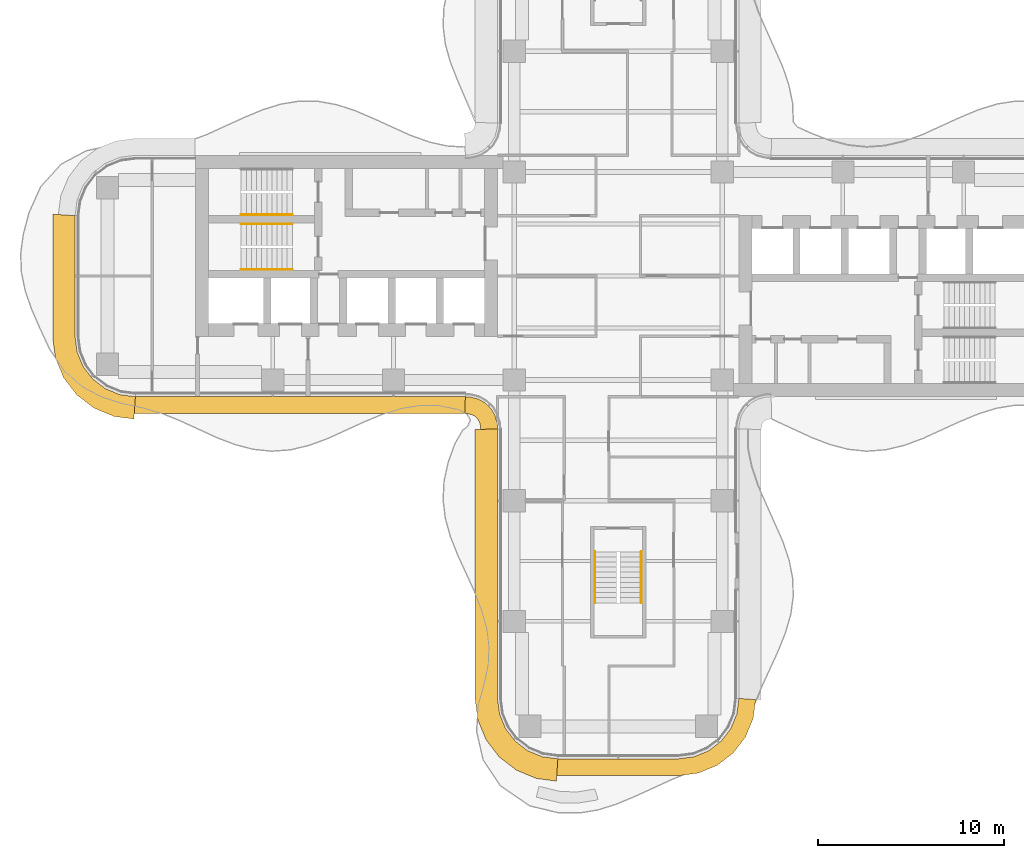
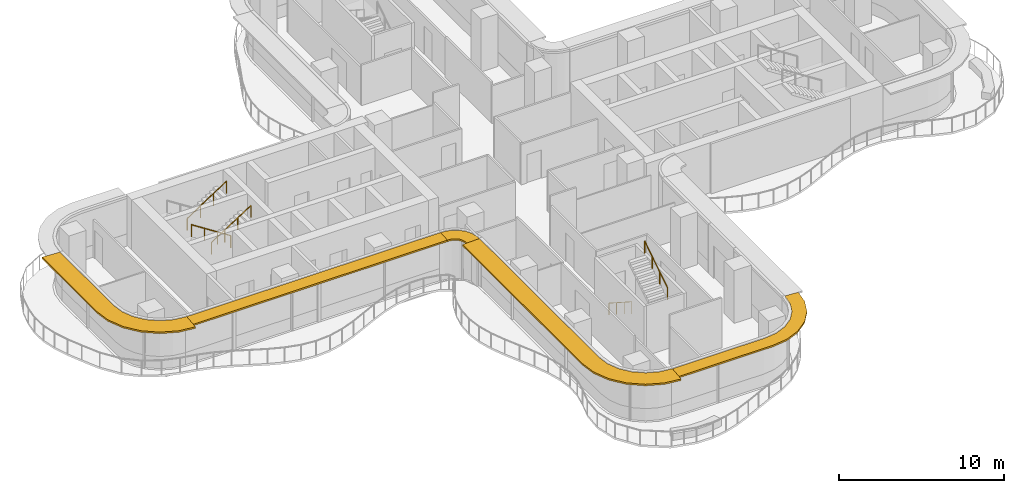
# One storey, part 17 of 18: 5 railings, 5 shading devices.
"""IFC4 building model written with IfcOpenShell, lengths in metres."""

from ifc_helpers import new_model, si_unit, direction, frame, origin, origin_2d, place, context, subcontext, project, spatial, polyline, circle, outline, extrude, source, transform, mapped, material, layer, layer_set, type_object, element, save


model = new_model("IFC4")

# Units and contexts
model_context = context("Model", 3, precision=1e-05, world=origin(), true_north=direction((0.0, 1.0)))
body_context = subcontext(model_context, "Body", "Model", "MODEL_VIEW")
ifc_project = project(units=[si_unit("LENGTHUNIT", "METRE"), si_unit("AREAUNIT", "SQUARE_METRE"), si_unit("VOLUMEUNIT", "CUBIC_METRE"), si_unit("PLANEANGLEUNIT", "RADIAN"), si_unit("MASSUNIT", "GRAM", prefix="KILO")], contexts=[model_context])

# Site, building, storey
site_placement = place(None, origin())
site = spatial("IfcSite", under=ifc_project, at=site_placement, CompositionType="ELEMENT")
building_placement = place(site_placement, origin())
building = spatial("IfcBuilding", under=site, at=building_placement, Name="Trellis Farm Tower", CompositionType="ELEMENT")
storey_placement = place(building_placement, frame((0.0, 0.0, 193.199951171875)))
storey = spatial("IfcBuildingStorey", under=building, at=storey_placement, Name="L42", CompositionType="ELEMENT", Elevation=193.199951171875)

# Railings
ifc_material_1 = material(Name="Stainless steel", Category="steel")
railing_type = type_object("IfcRailingType", Name="STAIR HANDRAIL 900", PredefinedType="HANDRAIL", material=ifc_material_1)
shared_shape_1 = source(origin(), body_context, "Body", "SweptSolid", [
    extrude(circle(Radius=0.02392578125, at=origin_2d()), frame((0.0, 0.0, 0.8759765625), z_axis=(0.0, 0.840503830235, 0.541805602924), x_axis=(-1.0, 0.0, 0.0)), (0.0, 0.0, 1.0), 3.271728515625),
    extrude(circle(Radius=0.02099609375, at=origin_2d()), origin(), (0.0, 0.0, 1.0), 0.851806640625),
    extrude(circle(Radius=0.02099609375, at=origin_2d()), frame((0.0, 0.916748046875, 0.5908203125)), (0.0, 0.0, 1.0), 0.851806640625),
    extrude(circle(Radius=0.02099609375, at=origin_2d()), frame((0.0, 1.833251953125, 1.181884765625)), (0.0, 0.0, 1.0), 0.851806640625),
    extrude(circle(Radius=0.02099609375, at=origin_2d()), frame((0.0, 2.75, 1.772705078125)), (0.0, 0.0, 1.0), 0.851806640625),
])
railing_1_placement = place(storey_placement, frame((1.25, -17.60009765625, 2.12744140625)))
element("IfcRailing", 1, at=railing_1_placement, inside=storey, type_object=railing_type, Name="Stair handrail", PredefinedType="HANDRAIL", context=body_context, shape_type="MappedRepresentation", body=[
    mapped(shared_shape_1, transform((0.0, 0.0, 0.0))),
])
shared_shape_2 = source(origin(), body_context, "Body", "SweptSolid", [
    extrude(circle(Radius=0.02392578125, at=origin_2d()), frame((0.0, 0.0, 0.8759765625), z_axis=(0.0, -0.840503830235, 0.541805602924), x_axis=(1.0, 0.0, 0.0)), (0.0, 0.0, 1.0), 3.271728515625),
    extrude(circle(Radius=0.02099609375, at=origin_2d()), origin(), (0.0, 0.0, 1.0), 0.851806640625),
    extrude(circle(Radius=0.02099609375, at=origin_2d()), frame((0.0, -0.916748046875, 0.5908203125)), (0.0, 0.0, 1.0), 0.851806640625),
    extrude(circle(Radius=0.02099609375, at=origin_2d()), frame((0.0, -1.833251953125, 1.181884765625)), (0.0, 0.0, 1.0), 0.851806640625),
    extrude(circle(Radius=0.02099609375, at=origin_2d()), frame((0.0, -2.75, 1.772705078125)), (0.0, 0.0, 1.0), 0.851806640625),
])
railing_2_placement = place(storey_placement, frame((-1.25, -14.85009765625, 0.17724609375)))
element("IfcRailing", 2, at=railing_2_placement, inside=storey, type_object=railing_type, Name="Stair handrail", PredefinedType="HANDRAIL", context=body_context, shape_type="MappedRepresentation", body=[
    mapped(shared_shape_2, transform((0.0, 0.0, 0.0))),
])
shared_shape_3 = source(origin(), body_context, "Body", "SweptSolid", [
    extrude(circle(Radius=0.02392578125, at=origin_2d()), frame((0.0, 0.0, 0.8759765625), z_axis=(0.840503830235, 0.0, 0.541805602924), x_axis=(0.0, 1.0, 0.0)), (0.0, 0.0, 1.0), 3.271728515625),
    extrude(circle(Radius=0.02099609375, at=origin_2d()), origin(), (0.0, 0.0, 1.0), 0.851806640625),
    extrude(circle(Radius=0.02099609375, at=origin_2d()), frame((0.916748046875, 0.0, 0.5908203125)), (0.0, 0.0, 1.0), 0.851806640625),
    extrude(circle(Radius=0.02099609375, at=origin_2d()), frame((1.833251953125, 0.0, 1.181884765625)), (0.0, 0.0, 1.0), 0.851806640625),
    extrude(circle(Radius=0.02099609375, at=origin_2d()), frame((2.75, 0.0, 1.772705078125)), (0.0, 0.0, 1.0), 0.851806640625),
])
for number, where, name in (
    (3, (-20.300048828125, 3.300048828125, 2.12744140625), "Stair handrail"),
    (4, (-20.300048828125, 0.35009765625, 2.12744140625), "Stair handrail"),
):
    element("IfcRailing", number, at=place(storey_placement, frame(where)), inside=storey, type_object=railing_type, Name=name, PredefinedType="HANDRAIL", context=body_context, shape_type="MappedRepresentation", body=[
        mapped(shared_shape_3, transform((0.0, 0.0, 0.0))),
    ])
shared_shape_4 = source(origin(), body_context, "Body", "SweptSolid", [
    extrude(circle(Radius=0.02392578125, at=origin_2d()), frame((0.0, 0.0, 0.8759765625), z_axis=(-0.840503830235, 0.0, 0.541805602924), x_axis=(0.0, -1.0, 0.0)), (0.0, 0.0, 1.0), 3.271728515625),
    extrude(circle(Radius=0.02099609375, at=origin_2d()), origin(), (0.0, 0.0, 1.0), 0.851806640625),
    extrude(circle(Radius=0.02099609375, at=origin_2d()), frame((-0.916748046875, 0.0, 0.5908203125)), (0.0, 0.0, 1.0), 0.851806640625),
    extrude(circle(Radius=0.02099609375, at=origin_2d()), frame((-1.833251953125, 0.0, 1.181884765625)), (0.0, 0.0, 1.0), 0.851806640625),
    extrude(circle(Radius=0.02099609375, at=origin_2d()), frame((-2.75, 0.0, 1.772705078125)), (0.0, 0.0, 1.0), 0.851806640625),
])
railing_3_placement = place(storey_placement, frame((-17.550048828125, 2.800048828125, 0.17724609375)))
element("IfcRailing", 5, at=railing_3_placement, inside=storey, type_object=railing_type, Name="Stair handrail", PredefinedType="HANDRAIL", context=body_context, shape_type="MappedRepresentation", body=[
    mapped(shared_shape_4, transform((0.0, 0.0, 0.0))),
])

# Shading devices
ifc_material_2 = material(Name="Aluminium extrusion 6063-T6", Category="aluminium")
ifc_layer_1 = layer(ifc_material_2, 0.1201171875)
ifc_layer_set_1 = layer_set([ifc_layer_1], Name="SUNSHADE BLADE 900")
shading_device_type_1 = type_object("IfcShadingDeviceType", Name="SUNSHADE BLADE 900", PredefinedType="USERDEFINED", material=ifc_layer_set_1)
shared_shape_5 = source(origin(), body_context, "Body", "SweptSolid", [
    extrude(outline(polyline([(-8.2607421875, -7.39990234375), (-8.107666015625, -7.409912109375), (-8.091552734375, -7.412109375), (-7.85595703125, -7.475341796875), (-7.697021484375, -7.567138671875), (-7.567138671875, -7.697021484375), (-7.475341796875, -7.85595703125), (-7.412109375, -8.091552734375), (-7.409912109375, -8.107666015625), (-7.39990234375, -8.2607421875), (-6.5, -8.2314453125), (-6.513916015625, -8.01953125), (-6.527587890625, -7.91552734375), (-6.63671875, -7.508544921875), (-6.846923828125, -7.144287109375), (-7.144287109375, -6.846923828125), (-7.508544921875, -6.63671875), (-7.91552734375, -6.527587890625), (-8.01953125, -6.513916015625), (-8.2314453125, -6.5), (-8.2607421875, -7.39990234375)])), origin(), (0.0, 0.0, 1.0), 0.1201171875),
])
placement = place(storey_placement, frame((0.0, 0.0, 3.5400390625)))
element("IfcShadingDevice", 6, at=placement, inside=storey, type_object=shading_device_type_1, Name="SD1 002", ObjectType="SUNSHADE", PredefinedType="USERDEFINED", context=body_context, shape_type="MappedRepresentation", body=[
    mapped(shared_shape_5, transform((0.0, 0.0, 0.0))),
])
ifc_layer_2 = layer(ifc_material_2, 0.1201171875)
ifc_layer_set_2 = layer_set([ifc_layer_2], Name="SUNSHADE BLADE 1200")
shading_device_type_2 = type_object("IfcShadingDeviceType", Name="SUNSHADE BLADE 1200", PredefinedType="USERDEFINED", material=ifc_layer_set_2)
shared_shape_6 = source(origin(), body_context, "Body", "SweptSolid", [
    extrude(outline(polyline([(-7.699951171875, -8.270751953125), (-7.699951171875, -22.82861328125), (-7.558349609375, -23.904541015625), (-7.11279296875, -24.980224609375), (-6.404052734375, -25.904052734375), (-5.480224609375, -26.61279296875), (-4.404541015625, -27.058349609375), (-3.32861328125, -27.199951171875), (-3.25, -26.0), (-4.091064453125, -25.88916015625), (-4.875, -25.564697265625), (-5.548095703125, -25.048095703125), (-6.064697265625, -24.375), (-6.38916015625, -23.591064453125), (-6.5, -22.75), (-6.5, -8.2314453125), (-7.699951171875, -8.270751953125)])), origin(), (0.0, 0.0, 1.0), 0.1201171875),
])
element("IfcShadingDevice", 7, at=placement, inside=storey, type_object=shading_device_type_2, Name="SD2 003", ObjectType="SUNSHADE", PredefinedType="USERDEFINED", context=body_context, shape_type="MappedRepresentation", body=[
    mapped(shared_shape_6, transform((0.0, 0.0, 0.0))),
])
shared_shape_7 = source(origin(), body_context, "Body", "SweptSolid", [
    extrude(outline(polyline([(-3.30908203125, -26.89990234375), (3.30908203125, -26.89990234375), (4.326171875, -26.76611328125), (5.328857421875, -26.350830078125), (6.18994140625, -25.68994140625), (6.850830078125, -24.828857421875), (7.26611328125, -23.826171875), (7.39990234375, -22.80908203125), (6.5, -22.75), (6.38916015625, -23.591064453125), (6.064697265625, -24.375), (5.548095703125, -25.048095703125), (4.875, -25.564697265625), (4.091064453125, -25.88916015625), (3.25, -26.0), (-3.25, -26.0), (-3.30908203125, -26.89990234375)])), origin(), (0.0, 0.0, 1.0), 0.1201171875),
])
element("IfcShadingDevice", 8, at=placement, inside=storey, type_object=shading_device_type_1, Name="SD1 004", ObjectType="SUNSHADE", PredefinedType="USERDEFINED", context=body_context, shape_type="MappedRepresentation", body=[
    mapped(shared_shape_7, transform((0.0, 0.0, 0.0))),
])
shared_shape_8 = source(origin(), body_context, "Body", "SweptSolid", [
    extrude(outline(polyline([(-26.05908203125, -7.39990234375), (-8.2607421875, -7.39990234375), (-8.2314453125, -6.5), (-26.0, -6.5), (-26.05908203125, -7.39990234375)])), origin(), (0.0, 0.0, 1.0), 0.1201171875),
])
element("IfcShadingDevice", 9, at=placement, inside=storey, type_object=shading_device_type_1, Name="SD1 001", ObjectType="SUNSHADE", PredefinedType="USERDEFINED", context=body_context, shape_type="MappedRepresentation", body=[
    mapped(shared_shape_8, transform((0.0, 0.0, 0.0))),
])
shared_shape_9 = source(origin(), body_context, "Body", "SweptSolid", [
    extrude(outline(polyline([(-30.449951171875, 3.32861328125), (-30.449951171875, -3.32861328125), (-30.308349609375, -4.404541015625), (-29.86279296875, -5.480224609375), (-29.154052734375, -6.404052734375), (-28.230224609375, -7.11279296875), (-27.154541015625, -7.558349609375), (-26.07861328125, -7.699951171875), (-26.0, -6.5), (-26.841064453125, -6.38916015625), (-27.625, -6.064697265625), (-28.298095703125, -5.548095703125), (-28.814697265625, -4.875), (-29.13916015625, -4.091064453125), (-29.25, -3.25), (-29.25, 3.25), (-30.449951171875, 3.32861328125)])), origin(), (0.0, 0.0, 1.0), 0.1201171875),
])
element("IfcShadingDevice", 10, at=placement, inside=storey, type_object=shading_device_type_2, Name="SD2 016", ObjectType="SUNSHADE", PredefinedType="USERDEFINED", context=body_context, shape_type="MappedRepresentation", body=[
    mapped(shared_shape_9, transform((0.0, 0.0, 0.0))),
])

save(model, "model.ifc")
